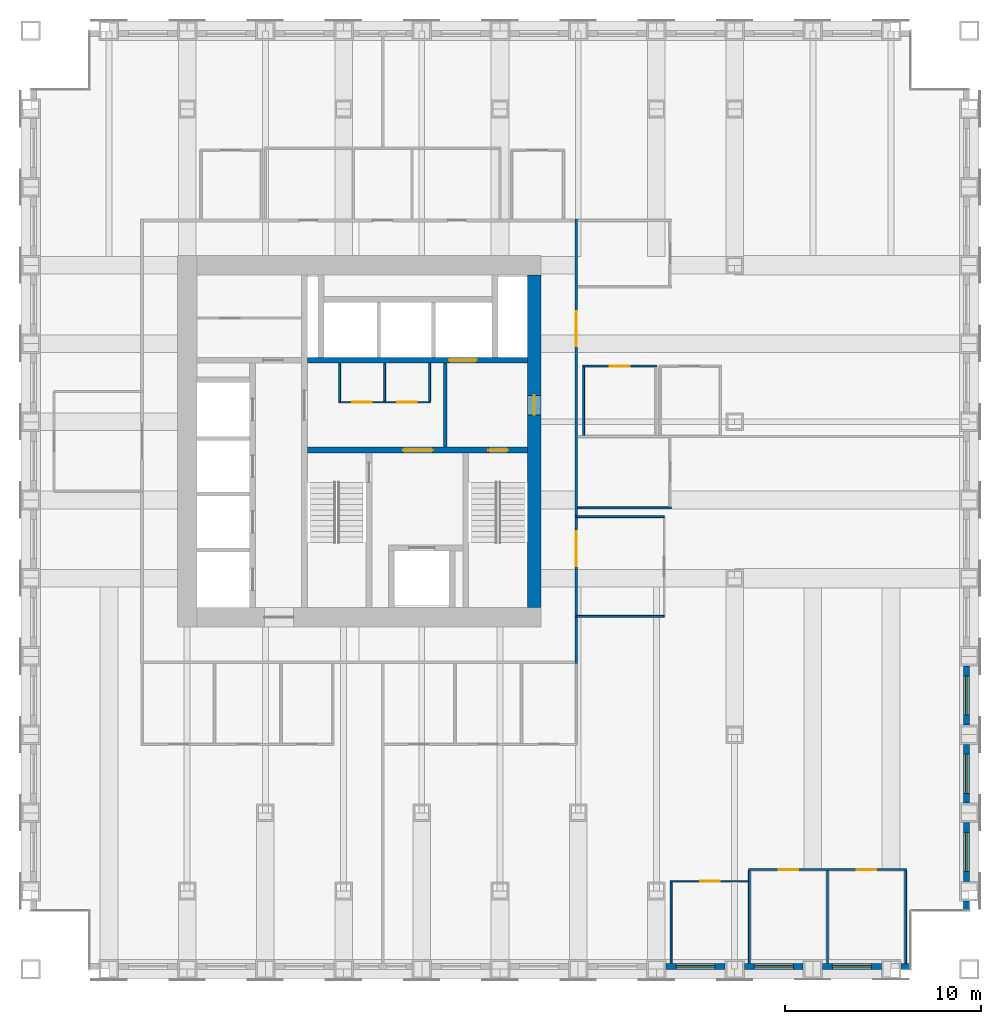
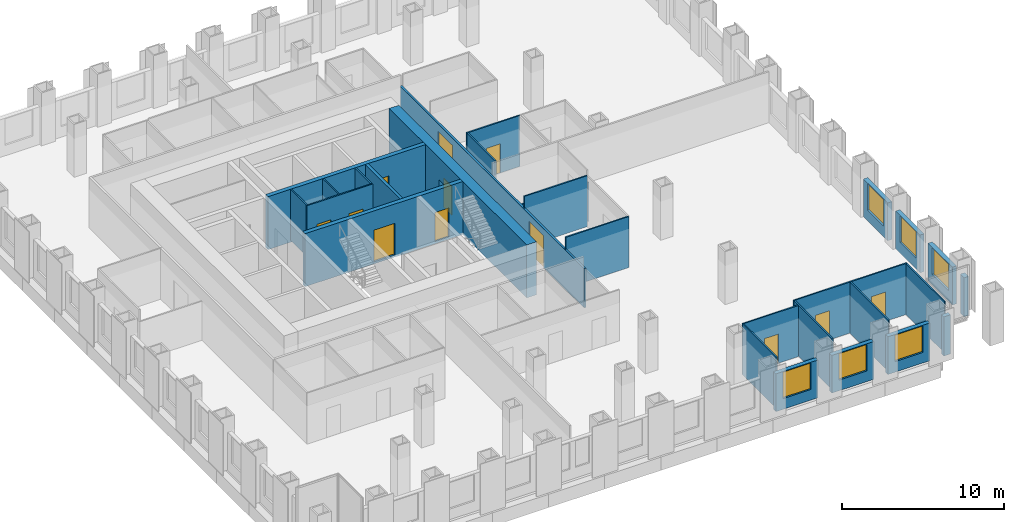
# One storey, part 12 of 16: 28 walls, 12 doors, 6 windows, 18 openings.
"""IFC4 building model written with IfcOpenShell, lengths in metres."""

from ifc_helpers import new_model, si_unit, direction, frame, frame_2d, origin, place, context, subcontext, project, spatial, rectangle, extrude, material, layer, layer_set, type_object, element, fill, save


model = new_model("IFC4")

# Units and contexts
model_context = context("Model", 3, precision=1e-05, world=origin(), true_north=direction((0.0, 1.0)))
body_context = subcontext(model_context, "Body", "Model", "MODEL_VIEW")
ifc_project = project(units=[si_unit("LENGTHUNIT", "METRE"), si_unit("AREAUNIT", "SQUARE_METRE"), si_unit("VOLUMEUNIT", "CUBIC_METRE"), si_unit("PLANEANGLEUNIT", "RADIAN"), si_unit("MASSUNIT", "GRAM", prefix="KILO")], contexts=[model_context])

# Site, building, storey
site_placement = place(None, origin())
site = spatial("IfcSite", under=ifc_project, at=site_placement, CompositionType="ELEMENT")
building_placement = place(site_placement, origin())
building = spatial("IfcBuilding", under=site, at=building_placement, Name="Rimbunsela Tower", CompositionType="ELEMENT")
storey_placement = place(building_placement, frame((0.0, 0.0, 97.39990234375)))
storey = spatial("IfcBuildingStorey", under=building, at=storey_placement, Name="L23", CompositionType="ELEMENT", Elevation=97.39990234375)

# Wall, openings, doors
ifc_material_1 = material(Name="Concrete fc' 80 MPa", Category="concrete")
ifc_layer_1 = layer(ifc_material_1, 0.300048828125)
ifc_layer_set_1 = layer_set([ifc_layer_1], Name="Core internal wall 300")
wall_type_1 = type_object("IfcWallType", Name="Core internal wall 300", PredefinedType="SHEAR", material=ifc_layer_set_1)
wall_1_placement = place(storey_placement, frame((24.14990234375, 26.550048828125, -0.14990234375), z_axis=(0.0, 0.0, 1.0), x_axis=(1.0, 0.0, 0.0)))
wall_1 = element("IfcWall", 1, at=wall_1_placement, inside=storey, type_object=wall_type_1, Name="Core wall lobby south", PredefinedType="SHEAR", context=body_context, shape_type="SweptSolid", body=[
    extrude(rectangle(XDim=11.25, YDim=0.300048828125, at=frame_2d((5.625, 0.0))), origin(), (0.0, 0.0, 1.0), 4.0),
])
opening_1_placement = place(wall_1_placement, frame((9.25, 0.0, 0.14990234375)))
opening_1 = element("IfcOpeningElement", 2, at=opening_1_placement, cuts=wall_1, Name="Opening D01", PredefinedType="OPENING", context=body_context, shape_type="SweptSolid", body=[
    extrude(rectangle(XDim=1.0, YDim=2.199951171875, at=frame_2d((0.5, 1.10009765625))), frame((0.0, 0.159912109375, 0.0), z_axis=(0.0, -1.0, 0.0), x_axis=(1.0, 0.0, 0.0)), (0.0, 0.0, 1.0), 0.320068359375),
])
opening_2_placement = place(wall_1_placement, frame((4.89990234375, 0.0, 0.14990234375)))
opening_2 = element("IfcOpeningElement", 3, at=opening_2_placement, cuts=wall_1, Name="Opening D03", PredefinedType="OPENING", context=body_context, shape_type="SweptSolid", body=[
    extrude(rectangle(XDim=1.5, YDim=2.39990234375, at=frame_2d((0.75, 1.199951171875))), frame((0.0, 0.159912109375, 0.0), z_axis=(0.0, -1.0, 0.0), x_axis=(1.0, 0.0, 0.0)), (0.0, 0.0, 1.0), 0.320068359375),
])
ifc_material_2 = material(Name="Steel door, fire rated", Category="steel")
door_type_1 = type_object("IfcDoorType", Name="Core lobby door 1500", OperationType="DOUBLE_DOOR_DOUBLE_SWING", PredefinedType="DOOR", material=ifc_material_2)
door_1_placement = place(opening_2_placement, origin())
door_1 = element("IfcDoor", 4, at=door_1_placement, inside=storey, type_object=door_type_1, Name="Firefighting lobby door", OperationType="DOUBLE_DOOR_DOUBLE_SWING", OverallHeight=2.39990234375, OverallWidth=1.5, PredefinedType="DOOR", context=body_context, shape_type="SweptSolid", body=[
    extrude(rectangle(XDim=1.5, YDim=2.39990234375, at=frame_2d((0.75, 1.199951171875))), frame((0.0, 0.02490234375, 0.0), z_axis=(0.0, -1.0, 0.0), x_axis=(1.0, 0.0, 0.0)), (0.0, 0.0, 1.0), 0.050048828125),
])
fill(opening_2, door_1)
ifc_material_3 = material(Name="Steel door, fire rated", Category="steel")
door_type_2 = type_object("IfcDoorType", Name="Stair door 1000", OperationType="SINGLE_SWING_RIGHT", PredefinedType="DOOR", material=ifc_material_3)
door_2_placement = place(opening_1_placement, frame((1.0, 0.0, 0.0), z_axis=(0.0, 0.0, 1.0), x_axis=(-1.0, 0.0, 0.0)))
door_2 = element("IfcDoor", 5, at=door_2_placement, inside=storey, type_object=door_type_2, Name="Stair B door", OperationType="SINGLE_SWING_RIGHT", OverallHeight=2.199951171875, OverallWidth=1.0, PredefinedType="DOOR", context=body_context, shape_type="SweptSolid", body=[
    extrude(rectangle(XDim=1.0, YDim=2.199951171875, at=frame_2d((0.5, 1.10009765625))), frame((0.0, 0.02490234375, 0.0), z_axis=(0.0, -1.0, 0.0), x_axis=(1.0, 0.0, 0.0)), (0.0, 0.0, 1.0), 0.050048828125),
])
fill(opening_1, door_2)

# Wall, opening, door
wall_2_placement = place(storey_placement, frame((24.14990234375, 31.14990234375, -0.14990234375), z_axis=(0.0, 0.0, 1.0), x_axis=(1.0, 0.0, 0.0)))
wall_2 = element("IfcWall", 6, at=wall_2_placement, inside=storey, type_object=wall_type_1, Name="Lift shaft front north", PredefinedType="SHEAR", context=body_context, shape_type="SweptSolid", body=[
    extrude(rectangle(XDim=11.25, YDim=0.300048828125, at=frame_2d((5.625, 0.0))), origin(), (0.0, 0.0, 1.0), 4.0),
])
opening_3_placement = place(wall_2_placement, frame((7.25, 0.0, 0.14990234375)))
opening_3 = element("IfcOpeningElement", 7, at=opening_3_placement, cuts=wall_2, Name="Opening LD3", PredefinedType="OPENING", context=body_context, shape_type="SweptSolid", body=[
    extrude(rectangle(XDim=1.39990234375, YDim=2.39990234375, at=frame_2d((0.699951171875, 1.199951171875))), frame((0.0, 0.159912109375, 0.0), z_axis=(0.0, -1.0, 0.0), x_axis=(1.0, 0.0, 0.0)), (0.0, 0.0, 1.0), 0.320068359375),
])
ifc_material_4 = material(Name="Steel door, fire rated", Category="steel")
door_type_3 = type_object("IfcDoorType", Name="Lift landing door 1400", OperationType="DOUBLE_DOOR_SLIDING", PredefinedType="DOOR", material=ifc_material_4)
door_3_placement = place(opening_3_placement, origin())
door_3 = element("IfcDoor", 8, at=door_3_placement, inside=storey, type_object=door_type_3, Name="Lift landing door FL2", OperationType="DOUBLE_DOOR_SLIDING", OverallHeight=2.39990234375, OverallWidth=1.39990234375, PredefinedType="DOOR", context=body_context, shape_type="SweptSolid", body=[
    extrude(rectangle(XDim=1.39990234375, YDim=2.39990234375, at=frame_2d((0.699951171875, 1.199951171875))), frame((0.0, 0.02490234375, 0.0), z_axis=(0.0, -1.0, 0.0), x_axis=(1.0, 0.0, 0.0)), (0.0, 0.0, 1.0), 0.050048828125),
])
fill(opening_3, door_3)

# Wall, openings, doors
ifc_material_5 = material(Name="Concrete blockwork", Category="masonry")
ifc_layer_2 = layer(ifc_material_5, 0.10009765625)
ifc_layer_set_2 = layer_set([ifc_layer_2], Name="Core room partition 100")
wall_type_2 = type_object("IfcWallType", Name="Core room partition 100", PredefinedType="PARTITIONING", material=ifc_layer_set_2)
wall_3_placement = place(storey_placement, frame((25.75, 29.0, 0.0), z_axis=(0.0, 0.0, 1.0), x_axis=(1.0, 0.0, 0.0)))
wall_3 = element("IfcWall", 9, at=wall_3_placement, inside=storey, type_object=wall_type_2, Name="Lobby room wall", PredefinedType="PARTITIONING", context=body_context, shape_type="SweptSolid", body=[
    extrude(rectangle(XDim=4.699951171875, YDim=0.10009765625, at=frame_2d((2.35009765625, 0.0))), origin(), (0.0, 0.0, 1.0), 3.85009765625),
])
opening_4_placement = place(wall_3_placement, frame((0.699951171875, 0.0, 0.0)))
opening_4 = element("IfcOpeningElement", 10, at=opening_4_placement, cuts=wall_3, Name="Opening D19", PredefinedType="OPENING", context=body_context, shape_type="SweptSolid", body=[
    extrude(rectangle(XDim=1.0, YDim=2.199951171875, at=frame_2d((0.5, 1.10009765625))), frame((0.0, 0.06005859375, 0.0), z_axis=(0.0, -1.0, 0.0), x_axis=(1.0, 0.0, 0.0)), (0.0, 0.0, 1.0), 0.1201171875),
])
opening_5_placement = place(wall_3_placement, frame((3.0, 0.0, 0.0)))
opening_5 = element("IfcOpeningElement", 11, at=opening_5_placement, cuts=wall_3, Name="Opening D19", PredefinedType="OPENING", context=body_context, shape_type="SweptSolid", body=[
    extrude(rectangle(XDim=1.0, YDim=2.199951171875, at=frame_2d((0.5, 1.10009765625))), frame((0.0, 0.06005859375, 0.0), z_axis=(0.0, -1.0, 0.0), x_axis=(1.0, 0.0, 0.0)), (0.0, 0.0, 1.0), 0.1201171875),
])
ifc_material_6 = material(Name="Steel door, fire rated", Category="steel")
door_type_4 = type_object("IfcDoorType", Name="Service door 1000 fire rated", OperationType="SINGLE_SWING_LEFT", PredefinedType="DOOR", material=ifc_material_6)
door_4_placement = place(opening_4_placement, origin())
door_4 = element("IfcDoor", 12, at=door_4_placement, inside=storey, type_object=door_type_4, Name="Staff WC door", OperationType="SINGLE_SWING_LEFT", OverallHeight=2.199951171875, OverallWidth=1.0, PredefinedType="DOOR", context=body_context, shape_type="SweptSolid", body=[
    extrude(rectangle(XDim=1.0, YDim=2.199951171875, at=frame_2d((0.5, 1.10009765625))), frame((0.0, 0.02490234375, 0.0), z_axis=(0.0, -1.0, 0.0), x_axis=(1.0, 0.0, 0.0)), (0.0, 0.0, 1.0), 0.050048828125),
])
fill(opening_4, door_4)
door_5_placement = place(opening_5_placement, origin())
door_5 = element("IfcDoor", 13, at=door_5_placement, inside=storey, type_object=door_type_4, Name="Cleaners store door", OperationType="SINGLE_SWING_LEFT", OverallHeight=2.199951171875, OverallWidth=1.0, PredefinedType="DOOR", context=body_context, shape_type="SweptSolid", body=[
    extrude(rectangle(XDim=1.0, YDim=2.199951171875, at=frame_2d((0.5, 1.10009765625))), frame((0.0, 0.02490234375, 0.0), z_axis=(0.0, -1.0, 0.0), x_axis=(1.0, 0.0, 0.0)), (0.0, 0.0, 1.0), 0.050048828125),
])
fill(opening_5, door_5)

# Walls
for number, where, z_axis, x_axis, name in (
    (14, (25.800048828125, 29.050048828125, 0.0), (0.0, 0.0, 1.0), (0.0, 1.0, 0.0), "Lobby room wall"),
    (15, (30.39990234375, 29.050048828125, 0.0), (0.0, 0.0, 1.0), (0.0, 1.0, 0.0), "Lobby room wall"),
    (16, (28.10009765625, 29.050048828125, 0.0), (0.0, 0.0, 1.0), (0.0, 1.0, 0.0), "Lobby room wall"),
):
    element("IfcWall", number, at=place(storey_placement, frame(where, z_axis=z_axis, x_axis=x_axis)), inside=storey, type_object=wall_type_2, Name=name, PredefinedType="PARTITIONING", context=body_context, shape_type="SweptSolid", body=[
        extrude(rectangle(XDim=1.949951171875, YDim=0.10009765625, at=frame_2d((0.97509765625, 0.0))), origin(), (0.0, 0.0, 1.0), 3.85009765625),
    ])

# Wall, opening, door
ifc_material_7 = material(Name="Concrete fc' 80 MPa", Category="concrete")
ifc_layer_3 = layer(ifc_material_7, 0.699951171875)
ifc_layer_set_3 = layer_set([ifc_layer_3], Name="Core wall 700 east")
wall_type_3 = type_object("IfcWallType", Name="Core wall 700 east", PredefinedType="SHEAR", material=ifc_layer_set_3)
wall_4_placement = place(storey_placement, frame((35.75, 18.5, -0.14990234375), z_axis=(0.0, 0.0, 1.0), x_axis=(0.0, 1.0, 0.0)))
wall_4 = element("IfcWall", 17, at=wall_4_placement, inside=storey, type_object=wall_type_3, Name="Core wall east", PredefinedType="SHEAR", context=body_context, shape_type="SweptSolid", body=[
    extrude(rectangle(XDim=17.0, YDim=0.699951171875, at=frame_2d((8.5, 0.0))), origin(), (0.0, 0.0, 1.0), 4.0),
])
opening_6_placement = place(wall_4_placement, frame((9.85009765625, 0.0, 0.14990234375)))
opening_6 = element("IfcOpeningElement", 18, at=opening_6_placement, cuts=wall_4, Name="Opening D01", PredefinedType="OPENING", context=body_context, shape_type="SweptSolid", body=[
    extrude(rectangle(XDim=1.0, YDim=2.199951171875, at=frame_2d((0.5, 1.10009765625))), frame((0.0, 0.35986328125, 0.0), z_axis=(0.0, -1.0, 0.0), x_axis=(1.0, 0.0, 0.0)), (0.0, 0.0, 1.0), 0.719970703125),
])
door_6_placement = place(opening_6_placement, origin())
door_6 = element("IfcDoor", 19, at=door_6_placement, inside=storey, type_object=door_type_2, Name="Firefighting lobby 2 door", OperationType="SINGLE_SWING_RIGHT", OverallHeight=2.199951171875, OverallWidth=1.0, PredefinedType="DOOR", context=body_context, shape_type="SweptSolid", body=[
    extrude(rectangle(XDim=1.0, YDim=2.199951171875, at=frame_2d((0.5, 1.10009765625))), frame((0.0, 0.02490234375, 0.0), z_axis=(0.0, -1.0, 0.0), x_axis=(1.0, 0.0, 0.0)), (0.0, 0.0, 1.0), 0.050048828125),
])
fill(opening_6, door_6)

# Wall
ifc_material_8 = material(Name="Concrete blockwork", Category="masonry")
ifc_layer_4 = layer(ifc_material_8, 0.199951171875)
ifc_layer_set_4 = layer_set([ifc_layer_4], Name="Lift shaft wall 200")
wall_type_4 = type_object("IfcWallType", Name="Lift shaft wall 200", PredefinedType="SOLIDWALL", material=ifc_layer_set_4)
wall_5_placement = place(storey_placement, frame((31.199951171875, 26.699951171875, 0.0), z_axis=(0.0, 0.0, 1.0), x_axis=(0.0, 1.0, 0.0)))
element("IfcWall", 20, at=wall_5_placement, inside=storey, type_object=wall_type_4, Name="Firefighting lobby 2 wall", PredefinedType="SOLIDWALL", context=body_context, shape_type="SweptSolid", body=[
    extrude(rectangle(XDim=4.300048828125, YDim=0.199951171875, at=frame_2d((2.14990234375, 0.0))), origin(), (0.0, 0.0, 1.0), 3.85009765625),
])

# Wall, opening, door
ifc_material_9 = material(Name="Gypsum board on steel studs", Category="steel")
ifc_layer_5 = layer(ifc_material_9, 0.10009765625)
ifc_layer_set_5 = layer_set([ifc_layer_5], Name="Office partition 100")
wall_type_5 = type_object("IfcWallType", Name="Office partition 100", PredefinedType="PARTITIONING", material=ifc_layer_set_5)
wall_6_placement = place(storey_placement, frame((42.699951171875, 4.5, 0.0), z_axis=(0.0, 0.0, 1.0), x_axis=(1.0, 0.0, 0.0)))
wall_6 = element("IfcWall", 21, at=wall_6_placement, inside=storey, type_object=wall_type_5, Name="Office partition", PredefinedType="PARTITIONING", context=body_context, shape_type="SweptSolid", body=[
    extrude(rectangle(XDim=4.0, YDim=0.10009765625, at=frame_2d((2.0, 0.0))), origin(), (0.0, 0.0, 1.0), 3.85009765625),
])
opening_7_placement = place(wall_6_placement, frame((1.550048828125, 0.0, 0.0)))
opening_7 = element("IfcOpeningElement", 22, at=opening_7_placement, cuts=wall_6, Name="Opening D16", PredefinedType="OPENING", context=body_context, shape_type="SweptSolid", body=[
    extrude(rectangle(XDim=1.0, YDim=2.199951171875, at=frame_2d((0.5, 1.10009765625))), frame((0.0, 0.06005859375, 0.0), z_axis=(0.0, -1.0, 0.0), x_axis=(1.0, 0.0, 0.0)), (0.0, 0.0, 1.0), 0.1201171875),
])
ifc_material_10 = material(Name="Timber door", Category="wood")
door_type_5 = type_object("IfcDoorType", Name="Office door 1000", OperationType="SINGLE_SWING_LEFT", PredefinedType="DOOR", material=ifc_material_10)
door_7_placement = place(opening_7_placement, origin())
door_7 = element("IfcDoor", 23, at=door_7_placement, inside=storey, type_object=door_type_5, Name="Office door", OperationType="SINGLE_SWING_LEFT", OverallHeight=2.199951171875, OverallWidth=1.0, PredefinedType="DOOR", context=body_context, shape_type="SweptSolid", body=[
    extrude(rectangle(XDim=1.0, YDim=2.199951171875, at=frame_2d((0.5, 1.10009765625))), frame((0.0, 0.02490234375, 0.0), z_axis=(0.0, -1.0, 0.0), x_axis=(1.0, 0.0, 0.0)), (0.0, 0.0, 1.0), 0.050048828125),
])
fill(opening_7, door_7)

# Wall, openings, doors
wall_7_placement = place(storey_placement, frame((46.699951171875, 5.10009765625, 0.0), z_axis=(0.0, 0.0, 1.0), x_axis=(1.0, 0.0, 0.0)))
wall_7 = element("IfcWall", 24, at=wall_7_placement, inside=storey, type_object=wall_type_5, Name="Office partition", PredefinedType="PARTITIONING", context=body_context, shape_type="SweptSolid", body=[
    extrude(rectangle(XDim=8.10009765625, YDim=0.10009765625, at=frame_2d((4.050048828125, 0.0))), origin(), (0.0, 0.0, 1.0), 3.85009765625),
])
opening_8_placement = place(wall_7_placement, frame((1.550048828125, 0.0, 0.0)))
opening_8 = element("IfcOpeningElement", 25, at=opening_8_placement, cuts=wall_7, Name="Opening D17", PredefinedType="OPENING", context=body_context, shape_type="SweptSolid", body=[
    extrude(rectangle(XDim=1.0, YDim=2.199951171875, at=frame_2d((0.5, 1.10009765625))), frame((0.0, 0.06005859375, 0.0), z_axis=(0.0, -1.0, 0.0), x_axis=(1.0, 0.0, 0.0)), (0.0, 0.0, 1.0), 0.1201171875),
])
opening_9_placement = place(wall_7_placement, frame((5.550048828125, 0.0, 0.0)))
opening_9 = element("IfcOpeningElement", 26, at=opening_9_placement, cuts=wall_7, Name="Opening D17", PredefinedType="OPENING", context=body_context, shape_type="SweptSolid", body=[
    extrude(rectangle(XDim=1.0, YDim=2.199951171875, at=frame_2d((0.5, 1.10009765625))), frame((0.0, 0.06005859375, 0.0), z_axis=(0.0, -1.0, 0.0), x_axis=(1.0, 0.0, 0.0)), (0.0, 0.0, 1.0), 0.1201171875),
])
ifc_material_11 = material(Name="Glazed aluminium door", Category="aluminium")
door_type_6 = type_object("IfcDoorType", Name="Meeting room door 1000 glazed", OperationType="SINGLE_SWING_RIGHT", PredefinedType="DOOR", material=ifc_material_11)
door_8_placement = place(opening_8_placement, origin())
door_8 = element("IfcDoor", 27, at=door_8_placement, inside=storey, type_object=door_type_6, Name="Meeting room door", OperationType="SINGLE_SWING_RIGHT", OverallHeight=2.199951171875, OverallWidth=1.0, PredefinedType="DOOR", context=body_context, shape_type="SweptSolid", body=[
    extrude(rectangle(XDim=1.0, YDim=2.199951171875, at=frame_2d((0.5, 1.10009765625))), frame((0.0, 0.02490234375, 0.0), z_axis=(0.0, -1.0, 0.0), x_axis=(1.0, 0.0, 0.0)), (0.0, 0.0, 1.0), 0.050048828125),
])
fill(opening_8, door_8)
door_9_placement = place(opening_9_placement, origin())
door_9 = element("IfcDoor", 28, at=door_9_placement, inside=storey, type_object=door_type_6, Name="Meeting room door", OperationType="SINGLE_SWING_RIGHT", OverallHeight=2.199951171875, OverallWidth=1.0, PredefinedType="DOOR", context=body_context, shape_type="SweptSolid", body=[
    extrude(rectangle(XDim=1.0, YDim=2.199951171875, at=frame_2d((0.5, 1.10009765625))), frame((0.0, 0.02490234375, 0.0), z_axis=(0.0, -1.0, 0.0), x_axis=(1.0, 0.0, 0.0)), (0.0, 0.0, 1.0), 0.050048828125),
])
fill(opening_9, door_9)

# Wall
wall_8_placement = place(storey_placement, frame((37.97509765625, 23.59912109375, 0.0), z_axis=(0.0, 0.0, 1.0), x_axis=(1.0, 0.0, 0.0)))
element("IfcWall", 29, at=wall_8_placement, inside=storey, type_object=wall_type_5, Name="Office partition", PredefinedType="PARTITIONING", context=body_context, shape_type="SweptSolid", body=[
    extrude(rectangle(XDim=4.77490234375, YDim=0.10009765625, at=frame_2d((2.387451171875, 0.0))), origin(), (0.0, 0.0, 1.0), 2.9501953125),
])

# Wall, opening, door
wall_9_placement = place(storey_placement, frame((38.22509765625, 30.85009765625, 0.0), z_axis=(0.0, 0.0, 1.0), x_axis=(1.0, 0.0, 0.0)))
wall_9 = element("IfcWall", 30, at=wall_9_placement, inside=storey, type_object=wall_type_5, Name="Office partition", PredefinedType="PARTITIONING", context=body_context, shape_type="SweptSolid", body=[
    extrude(rectangle(XDim=3.7998046875, YDim=0.10009765625, at=frame_2d((1.89990234375, 0.0))), origin(), (0.0, 0.0, 1.0), 3.85009765625),
])
opening_10_placement = place(wall_9_placement, frame((1.39990234375, 0.0, 0.0)))
opening_10 = element("IfcOpeningElement", 31, at=opening_10_placement, cuts=wall_9, Name="Opening D17", PredefinedType="OPENING", context=body_context, shape_type="SweptSolid", body=[
    extrude(rectangle(XDim=1.0, YDim=2.199951171875, at=frame_2d((0.5, 1.10009765625))), frame((0.0, 0.06005859375, 0.0), z_axis=(0.0, -1.0, 0.0), x_axis=(1.0, 0.0, 0.0)), (0.0, 0.0, 1.0), 0.1201171875),
])
door_10_placement = place(opening_10_placement, origin())
door_10 = element("IfcDoor", 32, at=door_10_placement, inside=storey, type_object=door_type_6, Name="Meeting room door", OperationType="SINGLE_SWING_RIGHT", OverallHeight=2.199951171875, OverallWidth=1.0, PredefinedType="DOOR", context=body_context, shape_type="SweptSolid", body=[
    extrude(rectangle(XDim=1.0, YDim=2.199951171875, at=frame_2d((0.5, 1.10009765625))), frame((0.0, 0.02490234375, 0.0), z_axis=(0.0, -1.0, 0.0), x_axis=(1.0, 0.0, 0.0)), (0.0, 0.0, 1.0), 0.050048828125),
])
fill(opening_10, door_10)

# Walls
wall_10_placement = place(storey_placement, frame((38.27490234375, 27.31005859375, 0.0), z_axis=(0.0, 0.0, 1.0), x_axis=(0.0, 1.0, 0.0)))
element("IfcWall", 33, at=wall_10_placement, inside=storey, type_object=wall_type_5, Name="Office partition", PredefinedType="PARTITIONING", context=body_context, shape_type="SweptSolid", body=[
    extrude(rectangle(XDim=3.489990234375, YDim=0.10009765625, at=frame_2d((1.7451171875, 0.0))), origin(), (0.0, 0.0, 1.0), 3.85009765625),
])
wall_11_placement = place(storey_placement, frame((42.75, 0.300048828125, 0.0), z_axis=(0.0, 0.0, 1.0), x_axis=(0.0, 1.0, 0.0)))
element("IfcWall", 34, at=wall_11_placement, inside=storey, type_object=wall_type_5, Name="Office partition", PredefinedType="PARTITIONING", context=body_context, shape_type="SweptSolid", body=[
    extrude(rectangle(XDim=4.14990234375, YDim=0.10009765625, at=frame_2d((2.074951171875, 0.0))), origin(), (0.0, 0.0, 1.0), 3.85009765625),
])
for number, where, z_axis, x_axis, name in (
    (35, (46.75, 0.300048828125, 0.0), (0.0, 0.0, 1.0), (0.0, 1.0, 0.0), "Office partition"),
    (36, (50.75, 0.300048828125, 0.0), (0.0, 0.0, 1.0), (0.0, 1.0, 0.0), "Office partition"),
    (37, (54.75, 0.300048828125, 0.0), (0.0, 0.0, 1.0), (0.0, 1.0, 0.0), "Office partition"),
):
    element("IfcWall", number, at=place(storey_placement, frame(where, z_axis=z_axis, x_axis=x_axis)), inside=storey, type_object=wall_type_5, Name=name, PredefinedType="PARTITIONING", context=body_context, shape_type="SweptSolid", body=[
        extrude(rectangle(XDim=4.75, YDim=0.10009765625, at=frame_2d((2.375, 0.0))), origin(), (0.0, 0.0, 1.0), 3.85009765625),
    ])
for number, where, z_axis, x_axis, name in (
    (38, (37.89990234375, 18.049072265625, 0.0), (0.0, 0.0, 1.0), (1.0, 0.0, 0.0), "Office partition"),
    (39, (42.39990234375, 23.14892578125, 0.0), (0.0, 0.0, 1.0), (-1.0, 0.0, 0.0), "Office partition"),
):
    element("IfcWall", number, at=place(storey_placement, frame(where, z_axis=z_axis, x_axis=x_axis)), inside=storey, type_object=wall_type_5, Name=name, PredefinedType="PARTITIONING", context=body_context, shape_type="SweptSolid", body=[
        extrude(rectangle(XDim=4.5, YDim=0.10009765625, at=frame_2d((2.25, 0.0))), origin(), (0.0, 0.0, 1.0), 3.85009765625),
    ])

# Wall, opening, window
ifc_material_12 = material(Name="Precast concrete fc' 35 MPa", Category="concrete")
ifc_layer_6 = layer(ifc_material_12, 0.300048828125)
ifc_layer_set_6 = layer_set([ifc_layer_6], Name="Precast concrete fc' 35 MPa")
wall_type_6 = type_object("IfcWallType", Name="Precast facade panel 300", PredefinedType="ELEMENTEDWALL", material=ifc_layer_set_6)
wall_12_placement = place(storey_placement, frame((42.5, 0.14990234375, 0.0), z_axis=(0.0, 0.0, 1.0), x_axis=(1.0, 0.0, 0.0)))
wall_12 = element("IfcWall", 40, at=wall_12_placement, inside=storey, type_object=wall_type_6, Name="Facade panel S L23", PredefinedType="ELEMENTEDWALL", context=body_context, shape_type="SweptSolid", body=[
    extrude(rectangle(XDim=3.0, YDim=0.300048828125, at=frame_2d((1.5, 0.0))), origin(), (0.0, 0.0, 1.0), 2.85009765625),
])
opening_11_placement = place(wall_12_placement, frame((0.5, 0.0, 0.800048828125)))
opening_11 = element("IfcOpeningElement", 41, at=opening_11_placement, cuts=wall_12, Name="Opening W1", PredefinedType="OPENING", context=body_context, shape_type="SweptSolid", body=[
    extrude(rectangle(XDim=2.0, YDim=2.0, at=frame_2d((1.0, 1.0))), frame((0.0, 0.159912109375, 0.0), z_axis=(0.0, -1.0, 0.0), x_axis=(1.0, 0.0, 0.0)), (0.0, 0.0, 1.0), 0.320068359375),
])
ifc_material_13 = material(Name="Clear glass in aluminium frame", Category="aluminium")
window_type = type_object("IfcWindowType", Name="Window W1 2000x2000", PartitioningType="DOUBLE_PANEL_VERTICAL", PredefinedType="WINDOW", material=ifc_material_13)
window_1_placement = place(opening_11_placement, origin())
window_1 = element("IfcWindow", 42, at=window_1_placement, inside=storey, type_object=window_type, Name="Window L23", OverallHeight=2.0, OverallWidth=2.0, PartitioningType="SINGLE_PANEL", PredefinedType="WINDOW", context=body_context, shape_type="SweptSolid", body=[
    extrude(rectangle(XDim=2.0, YDim=2.0, at=frame_2d((1.0, 1.0))), frame((0.0, 0.030029296875, 0.0), z_axis=(0.0, -1.0, 0.0), x_axis=(1.0, 0.0, 0.0)), (0.0, 0.0, 1.0), 0.06005859375),
])
fill(opening_11, window_1)

wall_13_placement = place(storey_placement, frame((46.5, 0.14990234375, 0.0), z_axis=(0.0, 0.0, 1.0), x_axis=(1.0, 0.0, 0.0)))
wall_13 = element("IfcWall", 43, at=wall_13_placement, inside=storey, type_object=wall_type_6, Name="Facade panel S L23", PredefinedType="ELEMENTEDWALL", context=body_context, shape_type="SweptSolid", body=[
    extrude(rectangle(XDim=3.0, YDim=0.300048828125, at=frame_2d((1.5, 0.0))), origin(), (0.0, 0.0, 1.0), 2.85009765625),
])
opening_12_placement = place(wall_13_placement, frame((0.5, 0.0, 0.800048828125)))
opening_12 = element("IfcOpeningElement", 44, at=opening_12_placement, cuts=wall_13, Name="Opening W1", PredefinedType="OPENING", context=body_context, shape_type="SweptSolid", body=[
    extrude(rectangle(XDim=2.0, YDim=2.0, at=frame_2d((1.0, 1.0))), frame((0.0, 0.159912109375, 0.0), z_axis=(0.0, -1.0, 0.0), x_axis=(1.0, 0.0, 0.0)), (0.0, 0.0, 1.0), 0.320068359375),
])
window_2_placement = place(opening_12_placement, origin())
window_2 = element("IfcWindow", 45, at=window_2_placement, inside=storey, type_object=window_type, Name="Window L23", OverallHeight=2.0, OverallWidth=2.0, PartitioningType="SINGLE_PANEL", PredefinedType="WINDOW", context=body_context, shape_type="SweptSolid", body=[
    extrude(rectangle(XDim=2.0, YDim=2.0, at=frame_2d((1.0, 1.0))), frame((0.0, 0.030029296875, 0.0), z_axis=(0.0, -1.0, 0.0), x_axis=(1.0, 0.0, 0.0)), (0.0, 0.0, 1.0), 0.06005859375),
])
fill(opening_12, window_2)

wall_14_placement = place(storey_placement, frame((50.5, 0.14990234375, 0.0), z_axis=(0.0, 0.0, 1.0), x_axis=(1.0, 0.0, 0.0)))
wall_14 = element("IfcWall", 46, at=wall_14_placement, inside=storey, type_object=wall_type_6, Name="Facade panel S L23", PredefinedType="ELEMENTEDWALL", context=body_context, shape_type="SweptSolid", body=[
    extrude(rectangle(XDim=3.0, YDim=0.300048828125, at=frame_2d((1.5, 0.0))), origin(), (0.0, 0.0, 1.0), 2.85009765625),
])
opening_13_placement = place(wall_14_placement, frame((0.5, 0.0, 0.800048828125)))
opening_13 = element("IfcOpeningElement", 47, at=opening_13_placement, cuts=wall_14, Name="Opening W1", PredefinedType="OPENING", context=body_context, shape_type="SweptSolid", body=[
    extrude(rectangle(XDim=2.0, YDim=2.0, at=frame_2d((1.0, 1.0))), frame((0.0, 0.159912109375, 0.0), z_axis=(0.0, -1.0, 0.0), x_axis=(1.0, 0.0, 0.0)), (0.0, 0.0, 1.0), 0.320068359375),
])
window_3_placement = place(opening_13_placement, origin())
window_3 = element("IfcWindow", 48, at=window_3_placement, inside=storey, type_object=window_type, Name="Window L23", OverallHeight=2.0, OverallWidth=2.0, PartitioningType="SINGLE_PANEL", PredefinedType="WINDOW", context=body_context, shape_type="SweptSolid", body=[
    extrude(rectangle(XDim=2.0, YDim=2.0, at=frame_2d((1.0, 1.0))), frame((0.0, 0.030029296875, 0.0), z_axis=(0.0, -1.0, 0.0), x_axis=(1.0, 0.0, 0.0)), (0.0, 0.0, 1.0), 0.06005859375),
])
fill(opening_13, window_3)

# Walls
for number, where, z_axis, x_axis, name in (
    (49, (54.5, 0.14990234375, 0.0), (0.0, 0.0, 1.0), (1.0, 0.0, 0.0), "Facade panel S L23"),
    (50, (57.85009765625, 3.030029296875, 0.0), (0.0, 0.0, 1.0), (0.0, 1.0, 0.0), "Facade panel E L23"),
):
    element("IfcWall", number, at=place(storey_placement, frame(where, z_axis=z_axis, x_axis=x_axis)), inside=storey, type_object=wall_type_6, Name=name, PredefinedType="ELEMENTEDWALL", context=body_context, shape_type="SweptSolid", body=[
        extrude(rectangle(XDim=0.469970703125, YDim=0.300048828125, at=frame_2d((0.23486328125, 0.0))), origin(), (0.0, 0.0, 1.0), 2.9501953125),
    ])

# Wall, opening, window
wall_15_placement = place(storey_placement, frame((57.85009765625, 4.5, 0.0), z_axis=(0.0, 0.0, 1.0), x_axis=(0.0, 1.0, 0.0)))
wall_15 = element("IfcWall", 51, at=wall_15_placement, inside=storey, type_object=wall_type_6, Name="Facade panel E L23", PredefinedType="ELEMENTEDWALL", context=body_context, shape_type="SweptSolid", body=[
    extrude(rectangle(XDim=3.0, YDim=0.300048828125, at=frame_2d((1.5, 0.0))), origin(), (0.0, 0.0, 1.0), 2.85009765625),
])
opening_14_placement = place(wall_15_placement, frame((0.5, 0.0, 0.800048828125)))
opening_14 = element("IfcOpeningElement", 52, at=opening_14_placement, cuts=wall_15, Name="Opening W1", PredefinedType="OPENING", context=body_context, shape_type="SweptSolid", body=[
    extrude(rectangle(XDim=2.0, YDim=2.0, at=frame_2d((1.0, 1.0))), frame((0.0, 0.159912109375, 0.0), z_axis=(0.0, -1.0, 0.0), x_axis=(1.0, 0.0, 0.0)), (0.0, 0.0, 1.0), 0.320068359375),
])
window_4_placement = place(opening_14_placement, origin())
window_4 = element("IfcWindow", 53, at=window_4_placement, inside=storey, type_object=window_type, Name="Window L23", OverallHeight=2.0, OverallWidth=2.0, PartitioningType="SINGLE_PANEL", PredefinedType="WINDOW", context=body_context, shape_type="SweptSolid", body=[
    extrude(rectangle(XDim=2.0, YDim=2.0, at=frame_2d((1.0, 1.0))), frame((0.0, 0.030029296875, 0.0), z_axis=(0.0, -1.0, 0.0), x_axis=(1.0, 0.0, 0.0)), (0.0, 0.0, 1.0), 0.06005859375),
])
fill(opening_14, window_4)

wall_16_placement = place(storey_placement, frame((57.85009765625, 8.5, 0.0), z_axis=(0.0, 0.0, 1.0), x_axis=(0.0, 1.0, 0.0)))
wall_16 = element("IfcWall", 54, at=wall_16_placement, inside=storey, type_object=wall_type_6, Name="Facade panel E L23", PredefinedType="ELEMENTEDWALL", context=body_context, shape_type="SweptSolid", body=[
    extrude(rectangle(XDim=3.0, YDim=0.300048828125, at=frame_2d((1.5, 0.0))), origin(), (0.0, 0.0, 1.0), 2.85009765625),
])
opening_15_placement = place(wall_16_placement, frame((0.5, 0.0, 0.800048828125)))
opening_15 = element("IfcOpeningElement", 55, at=opening_15_placement, cuts=wall_16, Name="Opening W1", PredefinedType="OPENING", context=body_context, shape_type="SweptSolid", body=[
    extrude(rectangle(XDim=2.0, YDim=2.0, at=frame_2d((1.0, 1.0))), frame((0.0, 0.159912109375, 0.0), z_axis=(0.0, -1.0, 0.0), x_axis=(1.0, 0.0, 0.0)), (0.0, 0.0, 1.0), 0.320068359375),
])
window_5_placement = place(opening_15_placement, origin())
window_5 = element("IfcWindow", 56, at=window_5_placement, inside=storey, type_object=window_type, Name="Window L23", OverallHeight=2.0, OverallWidth=2.0, PartitioningType="SINGLE_PANEL", PredefinedType="WINDOW", context=body_context, shape_type="SweptSolid", body=[
    extrude(rectangle(XDim=2.0, YDim=2.0, at=frame_2d((1.0, 1.0))), frame((0.0, 0.030029296875, 0.0), z_axis=(0.0, -1.0, 0.0), x_axis=(1.0, 0.0, 0.0)), (0.0, 0.0, 1.0), 0.06005859375),
])
fill(opening_15, window_5)

wall_17_placement = place(storey_placement, frame((57.85009765625, 12.5, 0.0), z_axis=(0.0, 0.0, 1.0), x_axis=(0.0, 1.0, 0.0)))
wall_17 = element("IfcWall", 57, at=wall_17_placement, inside=storey, type_object=wall_type_6, Name="Facade panel E L23", PredefinedType="ELEMENTEDWALL", context=body_context, shape_type="SweptSolid", body=[
    extrude(rectangle(XDim=3.0, YDim=0.300048828125, at=frame_2d((1.5, 0.0))), origin(), (0.0, 0.0, 1.0), 2.85009765625),
])
opening_16_placement = place(wall_17_placement, frame((0.5, 0.0, 0.800048828125)))
opening_16 = element("IfcOpeningElement", 58, at=opening_16_placement, cuts=wall_17, Name="Opening W1", PredefinedType="OPENING", context=body_context, shape_type="SweptSolid", body=[
    extrude(rectangle(XDim=2.0, YDim=2.0, at=frame_2d((1.0, 1.0))), frame((0.0, 0.159912109375, 0.0), z_axis=(0.0, -1.0, 0.0), x_axis=(1.0, 0.0, 0.0)), (0.0, 0.0, 1.0), 0.320068359375),
])
window_6_placement = place(opening_16_placement, origin())
window_6 = element("IfcWindow", 59, at=window_6_placement, inside=storey, type_object=window_type, Name="Window L23", OverallHeight=2.0, OverallWidth=2.0, PartitioningType="SINGLE_PANEL", PredefinedType="WINDOW", context=body_context, shape_type="SweptSolid", body=[
    extrude(rectangle(XDim=2.0, YDim=2.0, at=frame_2d((1.0, 1.0))), frame((0.0, 0.030029296875, 0.0), z_axis=(0.0, -1.0, 0.0), x_axis=(1.0, 0.0, 0.0)), (0.0, 0.0, 1.0), 0.06005859375),
])
fill(opening_16, window_6)

# Wall, openings, doors
ifc_material_14 = material(Name="Fire-rated gypsum board on steel studs, EI 60", Category="steel")
ifc_layer_7 = layer(ifc_material_14, 0.14990234375)
ifc_layer_set_7 = layer_set([ifc_layer_7], Name="Rated corridor wall 150")
wall_type_7 = type_object("IfcWallType", Name="Rated corridor wall 150", PredefinedType="PARTITIONING", material=ifc_layer_set_7)
wall_18_placement = place(storey_placement, frame((37.89990234375, 15.625, 0.0), z_axis=(0.0, 0.0, 1.0), x_axis=(0.0, 1.0, 0.0)))
wall_18 = element("IfcWall", 60, at=wall_18_placement, inside=storey, type_object=wall_type_7, Name="Corridor wall east", PredefinedType="PARTITIONING", context=body_context, shape_type="SweptSolid", body=[
    extrude(rectangle(XDim=22.75, YDim=0.14990234375, at=frame_2d((11.375, 0.0))), origin(), (0.0, 0.0, 1.0), 2.9501953125),
])
opening_17_placement = place(wall_18_placement, frame((4.97412109375, 0.0, 0.0)))
opening_17 = element("IfcOpeningElement", 61, at=opening_17_placement, cuts=wall_18, Name="Opening D09", PredefinedType="OPENING", context=body_context, shape_type="SweptSolid", body=[
    extrude(rectangle(XDim=1.800048828125, YDim=2.39990234375, at=frame_2d((0.89990234375, 1.199951171875))), frame((0.0, 0.0849609375, 0.0), z_axis=(0.0, -1.0, 0.0), x_axis=(1.0, 0.0, 0.0)), (0.0, 0.0, 1.0), 0.169921875),
])
opening_18_placement = place(wall_18_placement, frame((16.22607421875, 0.0, 0.0)))
opening_18 = element("IfcOpeningElement", 62, at=opening_18_placement, cuts=wall_18, Name="Opening D09", PredefinedType="OPENING", context=body_context, shape_type="SweptSolid", body=[
    extrude(rectangle(XDim=1.800048828125, YDim=2.39990234375, at=frame_2d((0.89990234375, 1.199951171875))), frame((0.0, 0.0849609375, 0.0), z_axis=(0.0, -1.0, 0.0), x_axis=(1.0, 0.0, 0.0)), (0.0, 0.0, 1.0), 0.169921875),
])
ifc_material_15 = material(Name="Glazed aluminium door, fire rated", Category="aluminium")
door_type_7 = type_object("IfcDoorType", Name="Tenancy door 1800 glazed", OperationType="DOUBLE_DOOR_DOUBLE_SWING", PredefinedType="DOOR", material=ifc_material_15)
door_11_placement = place(opening_17_placement, origin())
door_11 = element("IfcDoor", 63, at=door_11_placement, inside=storey, type_object=door_type_7, Name="Tenancy door", OperationType="DOUBLE_DOOR_DOUBLE_SWING", OverallHeight=2.39990234375, OverallWidth=1.800048828125, PredefinedType="DOOR", context=body_context, shape_type="SweptSolid", body=[
    extrude(rectangle(XDim=1.800048828125, YDim=2.39990234375, at=frame_2d((0.89990234375, 1.199951171875))), frame((0.0, 0.02490234375, 0.0), z_axis=(0.0, -1.0, 0.0), x_axis=(1.0, 0.0, 0.0)), (0.0, 0.0, 1.0), 0.050048828125),
])
fill(opening_17, door_11)
door_12_placement = place(opening_18_placement, origin())
door_12 = element("IfcDoor", 64, at=door_12_placement, inside=storey, type_object=door_type_7, Name="Tenancy door", OperationType="DOUBLE_DOOR_DOUBLE_SWING", OverallHeight=2.39990234375, OverallWidth=1.800048828125, PredefinedType="DOOR", context=body_context, shape_type="SweptSolid", body=[
    extrude(rectangle(XDim=1.800048828125, YDim=2.39990234375, at=frame_2d((0.89990234375, 1.199951171875))), frame((0.0, 0.02490234375, 0.0), z_axis=(0.0, -1.0, 0.0), x_axis=(1.0, 0.0, 0.0)), (0.0, 0.0, 1.0), 0.050048828125),
])
fill(opening_18, door_12)

save(model, "model.ifc")
